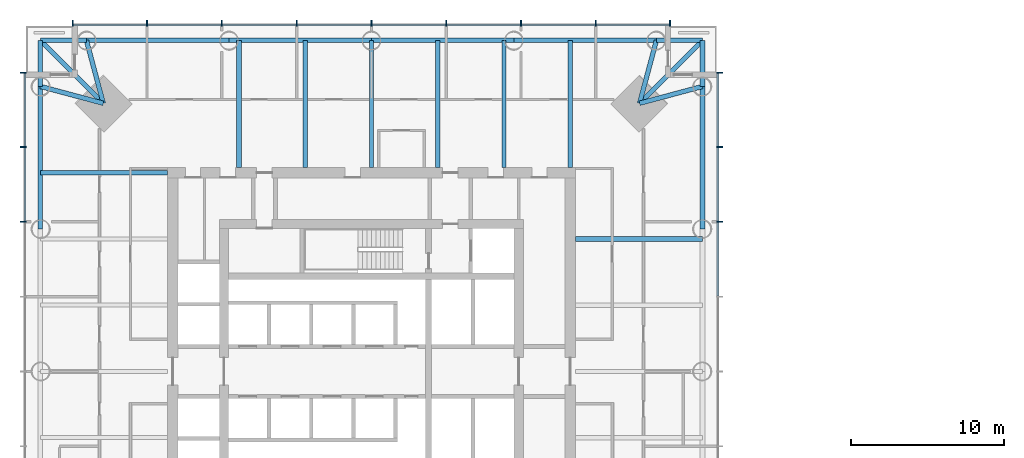
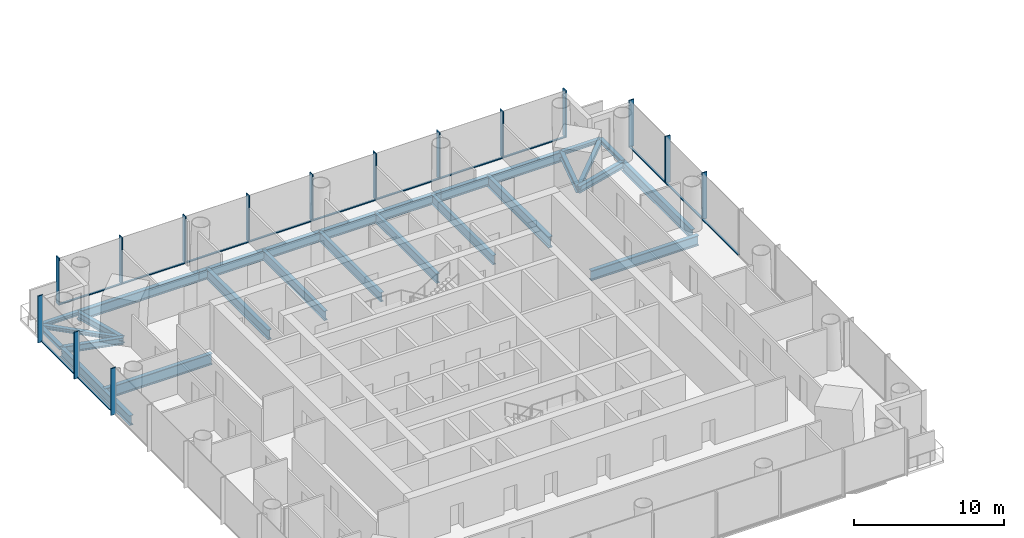
# One storey, part 3 of 18: 28 members, 24 beams, 3 elements without a shape of their own.
"""IFC4 building model written with IfcOpenShell, lengths in metres."""

from ifc_helpers import new_model, si_unit, direction, frame, origin, origin_2d, place, context, subcontext, project, spatial, rectangle, i_section, extrude, material, material_profile, profile_set, type_object, element, aggregate, save


model = new_model("IFC4")

# Units and contexts
model_context = context("Model", 3, precision=1e-05, world=origin(), true_north=direction((0.0, 1.0)))
body_context = subcontext(model_context, "Body", "Model", "MODEL_VIEW")
ifc_project = project(units=[si_unit("LENGTHUNIT", "METRE"), si_unit("AREAUNIT", "SQUARE_METRE"), si_unit("VOLUMEUNIT", "CUBIC_METRE"), si_unit("PLANEANGLEUNIT", "RADIAN"), si_unit("MASSUNIT", "GRAM", prefix="KILO")], contexts=[model_context])

# Site, building, storey
site_placement = place(None, origin())
site = spatial("IfcSite", under=ifc_project, at=site_placement, CompositionType="ELEMENT")
building_placement = place(site_placement, origin())
building = spatial("IfcBuilding", under=site, at=building_placement, Name="Ostroluk Exchange", CompositionType="ELEMENT")
storey_placement = place(building_placement, frame((0.0, 0.0, 97.0)))
storey = spatial("IfcBuildingStorey", under=building, at=storey_placement, Name="L24", CompositionType="ELEMENT", Elevation=97.0)

# Beams
ifc_material_1 = material(Name="Steel S355", Category="steel")
ifc_material_profile_1 = material_profile(ifc_material_1, i_section(OverallWidth=0.300048828125, OverallDepth=0.300048828125, WebThickness=0.010986328125, FlangeThickness=0.01904296875, FilletRadius=0.027099609375, at=origin_2d()), Name="HEB 300")
ifc_profile_set_1 = profile_set([ifc_material_profile_1], Name="Steel S355")
beam_type_1 = type_object("IfcBeamType", Name="Balcony beam HEB 300", PredefinedType="BEAM", material=ifc_profile_set_1)
for number, where, z_axis, x_axis, name in (
    (1, (66.571533203125, 64.571533203125, -0.330078125), (0.0, 1.0, 0.0), (-1.0, 0.0, 0.0), "T1 east balcony beam a"),
    (2, (63.571533203125, 67.571533203125, -0.330078125), (1.0, 0.0, 0.0), (0.0, 1.0, 0.0), "T1 east balcony beam b"),
):
    element("IfcBeam", number, at=place(storey_placement, frame(where, z_axis=z_axis, x_axis=x_axis)), inside=storey, type_object=beam_type_1, Name=name, PredefinedType="BEAM", context=body_context, shape_type="SweptSolid", body=[
        extrude(i_section(OverallWidth=0.300048828125, OverallDepth=0.300048828125, WebThickness=0.010986328125, FlangeThickness=0.01904296875, FilletRadius=0.027099609375, at=origin_2d()), origin(), (0.0, 0.0, 1.0), 3.0),
    ])
beam_1_placement = place(storey_placement, frame((62.471435546875, 63.471435546875, -0.330078125), z_axis=(0.707106781187, 0.707106781187, 0.0), x_axis=(-0.707106781187, 0.707106781187, 0.0)))
element("IfcBeam", 3, at=beam_1_placement, inside=storey, type_object=beam_type_1, Name="T1 east balcony beam c", PredefinedType="BEAM", context=body_context, shape_type="SweptSolid", body=[
    extrude(i_section(OverallWidth=0.300048828125, OverallDepth=0.300048828125, WebThickness=0.010986328125, FlangeThickness=0.01904296875, FilletRadius=0.027099609375, at=origin_2d()), origin(), (0.0, 0.0, 1.0), 5.79833984375),
])
for number, where, z_axis, x_axis, name in (
    (4, (26.428466796875, 67.571533203125, -0.330078125), (-1.0, 0.0, 0.0), (0.0, -1.0, 0.0), "T1 north balcony beam a"),
    (5, (23.428466796875, 64.571533203125, -0.330078125), (0.0, 1.0, 0.0), (-1.0, 0.0, 0.0), "T1 north balcony beam b"),
):
    element("IfcBeam", number, at=place(storey_placement, frame(where, z_axis=z_axis, x_axis=x_axis)), inside=storey, type_object=beam_type_1, Name=name, PredefinedType="BEAM", context=body_context, shape_type="SweptSolid", body=[
        extrude(i_section(OverallWidth=0.300048828125, OverallDepth=0.300048828125, WebThickness=0.010986328125, FlangeThickness=0.01904296875, FilletRadius=0.027099609375, at=origin_2d()), origin(), (0.0, 0.0, 1.0), 3.0),
    ])
beam_2_placement = place(storey_placement, frame((27.528564453125, 63.471435546875, -0.330078125), z_axis=(-0.707106781187, 0.707106781187, 0.0), x_axis=(-0.707106781187, -0.707106781187, 0.0)))
element("IfcBeam", 6, at=beam_2_placement, inside=storey, type_object=beam_type_1, Name="T1 north balcony beam c", PredefinedType="BEAM", context=body_context, shape_type="SweptSolid", body=[
    extrude(i_section(OverallWidth=0.300048828125, OverallDepth=0.300048828125, WebThickness=0.010986328125, FlangeThickness=0.01904296875, FilletRadius=0.027099609375, at=origin_2d()), origin(), (0.0, 0.0, 1.0), 5.79833984375),
])
ifc_material_2 = material(Name="Steel S355", Category="steel")
ifc_material_profile_2 = material_profile(ifc_material_2, i_section(OverallWidth=0.300048828125, OverallDepth=0.550048828125, WebThickness=0.014892578125, FlangeThickness=0.029052734375, FilletRadius=0.027099609375, at=origin_2d()), Name="HEB 550")
ifc_profile_set_2 = profile_set([ifc_material_profile_2], Name="Steel S355")
beam_type_2 = type_object("IfcBeamType", Name="Corner edge beam HEB 550", PredefinedType="SPANDREL", material=ifc_profile_set_2)
for number, where, z_axis, x_axis, name in (
    (7, (62.471435546875, 63.471435546875, -0.455078125), (0.965838624319, 0.259144268261, 0.0), (-0.259144268261, 0.965838624319, 0.0), "T1 east corner edge beam a"),
    (8, (62.471435546875, 63.471435546875, -0.455078125), (0.259144268261, 0.965838624319, 0.0), (-0.965838624319, 0.259144268261, 0.0), "T1 east corner edge beam b"),
    (9, (27.528564453125, 63.471435546875, -0.455078125), (-0.259144268261, 0.965838624319, 0.0), (-0.965838624319, -0.259144268261, 0.0), "T1 north corner edge beam a"),
    (10, (27.528564453125, 63.471435546875, -0.455078125), (-0.965838624319, 0.259144268261, 0.0), (-0.259144268261, -0.965838624319, 0.0), "T1 north corner edge beam b"),
):
    element("IfcBeam", number, at=place(storey_placement, frame(where, z_axis=z_axis, x_axis=x_axis)), inside=storey, type_object=beam_type_2, Name=name, PredefinedType="SPANDREL", context=body_context, shape_type="SweptSolid", body=[
        extrude(i_section(OverallWidth=0.300048828125, OverallDepth=0.550048828125, WebThickness=0.014892578125, FlangeThickness=0.029052734375, FilletRadius=0.027099609375, at=origin_2d()), origin(), (0.0, 0.0, 1.0), 4.2451171875),
    ])
ifc_material_3 = material(Name="Steel S355", Category="steel")
ifc_material_profile_3 = material_profile(ifc_material_3, i_section(OverallWidth=0.302978515625, OverallDepth=0.81396484375, WebThickness=0.02099609375, FlangeThickness=0.0400390625, FilletRadius=0.030029296875, at=origin_2d()), Name="HEM 800")
ifc_profile_set_3 = profile_set([ifc_material_profile_3], Name="Steel S355")
beam_type_3 = type_object("IfcBeamType", Name="Floor beam HEM 800", PredefinedType="BEAM", material=ifc_profile_set_3)
for number, where, z_axis, x_axis, name in (
    (11, (58.300048828125, 54.6259765625, -0.5869140625), (1.0, 0.0, 0.0), (0.0, 1.0, 0.0), "T1 east floor beam 5"),
    (12, (36.3740234375, 59.300048828125, -0.5869140625), (0.0, 1.0, 0.0), (-1.0, 0.0, 0.0), "T1 north floor beam 5"),
):
    element("IfcBeam", number, at=place(storey_placement, frame(where, z_axis=z_axis, x_axis=x_axis)), inside=storey, type_object=beam_type_3, Name=name, PredefinedType="BEAM", context=body_context, shape_type="SweptSolid", body=[
        extrude(i_section(OverallWidth=0.302978515625, OverallDepth=0.81396484375, WebThickness=0.02099609375, FlangeThickness=0.0400390625, FilletRadius=0.030029296875, at=origin_2d()), origin(), (0.0, 0.0, 1.0), 8.271484375),
    ])
ifc_material_4 = material(Name="Steel S355", Category="steel")
ifc_material_profile_4 = material_profile(ifc_material_4, i_section(OverallWidth=0.26708984375, OverallDepth=0.761962890625, WebThickness=0.014404296875, FlangeThickness=0.021484375, FilletRadius=0.01708984375, at=origin_2d()), Name="IPE 750x173")
ifc_profile_set_4 = profile_set([ifc_material_profile_4], Name="Steel S355")
beam_type_4 = type_object("IfcBeamType", Name="Floor beam IPE 750x173", PredefinedType="BEAM", material=ifc_profile_set_4)
for number, where, z_axis, x_axis, name in (
    (13, (53.634765625, 59.300048828125, -0.56103515625), (0.0, 1.0, 0.0), (-1.0, 0.0, 0.0), "T1 north floor beam 1"),
    (14, (49.319580078125, 59.300048828125, -0.56103515625), (0.0, 1.0, 0.0), (-1.0, 0.0, 0.0), "T1 north floor beam 2"),
    (15, (45.00439453125, 59.300048828125, -0.56103515625), (0.0, 1.0, 0.0), (-1.0, 0.0, 0.0), "T1 north floor beam 3"),
    (16, (40.689208984375, 59.300048828125, -0.56103515625), (0.0, 1.0, 0.0), (-1.0, 0.0, 0.0), "T1 north floor beam 4"),
):
    element("IfcBeam", number, at=place(storey_placement, frame(where, z_axis=z_axis, x_axis=x_axis)), inside=storey, type_object=beam_type_4, Name=name, PredefinedType="BEAM", context=body_context, shape_type="SweptSolid", body=[
        extrude(i_section(OverallWidth=0.26708984375, OverallDepth=0.761962890625, WebThickness=0.014404296875, FlangeThickness=0.021484375, FilletRadius=0.01708984375, at=origin_2d()), origin(), (0.0, 0.0, 1.0), 8.271484375),
    ])
ifc_material_5 = material(Name="Steel S355", Category="steel")
ifc_material_profile_5 = material_profile(ifc_material_5, i_section(OverallWidth=0.300048828125, OverallDepth=0.89990234375, WebThickness=0.0185546875, FlangeThickness=0.034912109375, FilletRadius=0.030029296875, at=origin_2d()), Name="HEB 900")
ifc_profile_set_5 = profile_set([ifc_material_profile_5], Name="Steel S355")
beam_type_5 = type_object("IfcBeamType", Name="Girder HEB 900", PredefinedType="BEAM", material=ifc_profile_set_5)
for number, where, z_axis, x_axis, name in (
    (17, (57.949951171875, 59.300048828125, -0.6298828125), (0.0, 1.0, 0.0), (-1.0, 0.0, 0.0), "T1 east girder"),
    (18, (31.699951171875, 58.949951171875, -0.6298828125), (-1.0, 0.0, 0.0), (0.0, -1.0, 0.0), "T1 north girder"),
):
    element("IfcBeam", number, at=place(storey_placement, frame(where, z_axis=z_axis, x_axis=x_axis)), inside=storey, type_object=beam_type_5, Name=name, PredefinedType="BEAM", context=body_context, shape_type="SweptSolid", body=[
        extrude(i_section(OverallWidth=0.300048828125, OverallDepth=0.89990234375, WebThickness=0.0185546875, FlangeThickness=0.034912109375, FilletRadius=0.030029296875, at=origin_2d()), origin(), (0.0, 0.0, 1.0), 8.271484375),
    ])
ifc_material_6 = material(Name="Steel S355", Category="steel")
ifc_material_profile_6 = material_profile(ifc_material_6, i_section(OverallWidth=0.300048828125, OverallDepth=0.800048828125, WebThickness=0.017578125, FlangeThickness=0.032958984375, FilletRadius=0.030029296875, at=origin_2d()), Name="HEB 800")
ifc_profile_set_6 = profile_set([ifc_material_profile_6], Name="Steel S355")
beam_type_6 = type_object("IfcBeamType", Name="Moment-connected edge beam HEB 800", PredefinedType="SPANDREL", material=ifc_profile_set_6)
for number, where, z_axis, x_axis, name in (
    (19, (66.571533203125, 55.28564453125, -0.580078125), (0.0, 1.0, 0.0), (-1.0, 0.0, 0.0), "T1 east edge beam 4"),
    (20, (63.571533203125, 67.571533203125, -0.580078125), (-1.0, 0.0, 0.0), (0.0, -1.0, 0.0), "T1 north edge beam 1"),
):
    element("IfcBeam", number, at=place(storey_placement, frame(where, z_axis=z_axis, x_axis=x_axis)), inside=storey, type_object=beam_type_6, Name=name, PredefinedType="SPANDREL", context=body_context, shape_type="SweptSolid", body=[
        extrude(i_section(OverallWidth=0.300048828125, OverallDepth=0.800048828125, WebThickness=0.017578125, FlangeThickness=0.032958984375, FilletRadius=0.030029296875, at=origin_2d()), origin(), (0.0, 0.0, 1.0), 9.285888671875),
    ])
for number, where, z_axis, x_axis, name in (
    (21, (54.28564453125, 67.571533203125, -0.580078125), (-1.0, 0.0, 0.0), (0.0, -1.0, 0.0), "T1 north edge beam 2"),
    (22, (45.0, 67.571533203125, -0.580078125), (-1.0, 0.0, 0.0), (0.0, -1.0, 0.0), "T1 north edge beam 3"),
):
    element("IfcBeam", number, at=place(storey_placement, frame(where, z_axis=z_axis, x_axis=x_axis)), inside=storey, type_object=beam_type_6, Name=name, PredefinedType="SPANDREL", context=body_context, shape_type="SweptSolid", body=[
        extrude(i_section(OverallWidth=0.300048828125, OverallDepth=0.800048828125, WebThickness=0.017578125, FlangeThickness=0.032958984375, FilletRadius=0.030029296875, at=origin_2d()), origin(), (0.0, 0.0, 1.0), 9.28564453125),
    ])
for number, where, z_axis, x_axis, name in (
    (23, (35.71435546875, 67.571533203125, -0.580078125), (-1.0, 0.0, 0.0), (0.0, -1.0, 0.0), "T1 north edge beam 4"),
    (24, (23.428466796875, 64.571533203125, -0.580078125), (0.0, -1.0, 0.0), (1.0, 0.0, 0.0), "T1 west edge beam 1"),
):
    element("IfcBeam", number, at=place(storey_placement, frame(where, z_axis=z_axis, x_axis=x_axis)), inside=storey, type_object=beam_type_6, Name=name, PredefinedType="SPANDREL", context=body_context, shape_type="SweptSolid", body=[
        extrude(i_section(OverallWidth=0.300048828125, OverallDepth=0.800048828125, WebThickness=0.017578125, FlangeThickness=0.032958984375, FilletRadius=0.030029296875, at=origin_2d()), origin(), (0.0, 0.0, 1.0), 9.285888671875),
    ])

# Curtain wall, members
ifc_material_7 = material(Name="Laminated clear glass", Category="glass")
curtain_wall_type = type_object("IfcCurtainWallType", Name="Office tower facade", PredefinedType="USERDEFINED", material=ifc_material_7)
curtain_wall_1_placement = place(storey_placement, origin())
curtain_wall_1 = element("IfcCurtainWall", 25, at=curtain_wall_1_placement, inside=storey, type_object=curtain_wall_type, Name="Office tower east facade L24", ObjectType="UNITISED CURTAIN WALL", PredefinedType="USERDEFINED")
ifc_material_8 = material(Name="Aluminium mullion", Category="aluminium")
ifc_material_profile_7 = material_profile(ifc_material_8, rectangle(XDim=0.14990234375, YDim=0.080078125, at=origin_2d()), Name="Sill transom 80 x 150")
ifc_profile_set_7 = profile_set([ifc_material_profile_7], Name="Aluminium mullion")
member_type_1 = type_object("IfcMemberType", Name="Sill transom 80 x 150", PredefinedType="USERDEFINED", material=ifc_profile_set_7)
member_1_placement = place(storey_placement, frame((67.574951171875, 50.9150390625, 0.0400390625), z_axis=(0.0, 1.0, 0.0), x_axis=(-1.0, 0.0, 0.0)))
member_1 = element("IfcMember", 26, at=member_1_placement, type_object=member_type_1, Name="CW-O1 transom 6.1", ObjectType="TRANSOM", PredefinedType="USERDEFINED", context=body_context, shape_type="SweptSolid", body=[
    extrude(rectangle(XDim=0.14990234375, YDim=0.080078125, at=origin_2d()), origin(), (0.0, 0.0, 1.0), 4.794921875),
])
member_2_placement = place(storey_placement, frame((67.574951171875, 55.7900390625, 0.0400390625), z_axis=(0.0, 1.0, 0.0), x_axis=(-1.0, 0.0, 0.0)))
member_2 = element("IfcMember", 27, at=member_2_placement, type_object=member_type_1, Name="CW-O1 transom 7.1", ObjectType="TRANSOM", PredefinedType="USERDEFINED", context=body_context, shape_type="SweptSolid", body=[
    extrude(rectangle(XDim=0.14990234375, YDim=0.080078125, at=origin_2d()), origin(), (0.0, 0.0, 1.0), 4.794921875),
])
member_3_placement = place(storey_placement, frame((67.574951171875, 60.6650390625, 0.0400390625), z_axis=(0.0, 1.0, 0.0), x_axis=(-1.0, 0.0, 0.0)))
member_3 = element("IfcMember", 28, at=member_3_placement, type_object=member_type_1, Name="CW-O1 transom 8.1", ObjectType="TRANSOM", PredefinedType="USERDEFINED", context=body_context, shape_type="SweptSolid", body=[
    extrude(rectangle(XDim=0.14990234375, YDim=0.080078125, at=origin_2d()), origin(), (0.0, 0.0, 1.0), 4.7548828125),
])

curtain_wall_2_placement = place(storey_placement, origin())
curtain_wall_2 = element("IfcCurtainWall", 29, at=curtain_wall_2_placement, inside=storey, type_object=curtain_wall_type, Name="Office tower north facade L24", ObjectType="UNITISED CURTAIN WALL", PredefinedType="USERDEFINED")
member_4_placement = place(storey_placement, frame((64.419921875, 68.574951171875, 0.0400390625), z_axis=(-1.0, 0.0, 0.0), x_axis=(0.0, -1.0, 0.0)))
member_4 = element("IfcMember", 30, at=member_4_placement, type_object=member_type_1, Name="CW-O1 transom 1.1", ObjectType="TRANSOM", PredefinedType="USERDEFINED", context=body_context, shape_type="SweptSolid", body=[
    extrude(rectangle(XDim=0.14990234375, YDim=0.080078125, at=origin_2d()), origin(), (0.0, 0.0, 1.0), 4.7548828125),
])
member_5_placement = place(storey_placement, frame((59.5849609375, 68.574951171875, 0.0400390625), z_axis=(-1.0, 0.0, 0.0), x_axis=(0.0, -1.0, 0.0)))
member_5 = element("IfcMember", 31, at=member_5_placement, type_object=member_type_1, Name="CW-O1 transom 2.1", ObjectType="TRANSOM", PredefinedType="USERDEFINED", context=body_context, shape_type="SweptSolid", body=[
    extrude(rectangle(XDim=0.14990234375, YDim=0.080078125, at=origin_2d()), origin(), (0.0, 0.0, 1.0), 4.794921875),
])
member_6_placement = place(storey_placement, frame((54.7099609375, 68.574951171875, 0.0400390625), z_axis=(-1.0, 0.0, 0.0), x_axis=(0.0, -1.0, 0.0)))
member_6 = element("IfcMember", 32, at=member_6_placement, type_object=member_type_1, Name="CW-O1 transom 3.1", ObjectType="TRANSOM", PredefinedType="USERDEFINED", context=body_context, shape_type="SweptSolid", body=[
    extrude(rectangle(XDim=0.14990234375, YDim=0.080078125, at=origin_2d()), origin(), (0.0, 0.0, 1.0), 4.794921875),
])
member_7_placement = place(storey_placement, frame((49.8349609375, 68.574951171875, 0.0400390625), z_axis=(-1.0, 0.0, 0.0), x_axis=(0.0, -1.0, 0.0)))
member_7 = element("IfcMember", 33, at=member_7_placement, type_object=member_type_1, Name="CW-O1 transom 4.1", ObjectType="TRANSOM", PredefinedType="USERDEFINED", context=body_context, shape_type="SweptSolid", body=[
    extrude(rectangle(XDim=0.14990234375, YDim=0.080078125, at=origin_2d()), origin(), (0.0, 0.0, 1.0), 4.794921875),
])
member_8_placement = place(storey_placement, frame((44.9599609375, 68.574951171875, 0.0400390625), z_axis=(-1.0, 0.0, 0.0), x_axis=(0.0, -1.0, 0.0)))
member_8 = element("IfcMember", 34, at=member_8_placement, type_object=member_type_1, Name="CW-O1 transom 5.1", ObjectType="TRANSOM", PredefinedType="USERDEFINED", context=body_context, shape_type="SweptSolid", body=[
    extrude(rectangle(XDim=0.14990234375, YDim=0.080078125, at=origin_2d()), origin(), (0.0, 0.0, 1.0), 4.794921875),
])
member_9_placement = place(storey_placement, frame((40.0849609375, 68.574951171875, 0.0400390625), z_axis=(-1.0, 0.0, 0.0), x_axis=(0.0, -1.0, 0.0)))
member_9 = element("IfcMember", 35, at=member_9_placement, type_object=member_type_1, Name="CW-O1 transom 6.1", ObjectType="TRANSOM", PredefinedType="USERDEFINED", context=body_context, shape_type="SweptSolid", body=[
    extrude(rectangle(XDim=0.14990234375, YDim=0.080078125, at=origin_2d()), origin(), (0.0, 0.0, 1.0), 4.794921875),
])
member_10_placement = place(storey_placement, frame((35.2099609375, 68.574951171875, 0.0400390625), z_axis=(-1.0, 0.0, 0.0), x_axis=(0.0, -1.0, 0.0)))
member_10 = element("IfcMember", 36, at=member_10_placement, type_object=member_type_1, Name="CW-O1 transom 7.1", ObjectType="TRANSOM", PredefinedType="USERDEFINED", context=body_context, shape_type="SweptSolid", body=[
    extrude(rectangle(XDim=0.14990234375, YDim=0.080078125, at=origin_2d()), origin(), (0.0, 0.0, 1.0), 4.794921875),
])
member_11_placement = place(storey_placement, frame((30.3349609375, 68.574951171875, 0.0400390625), z_axis=(-1.0, 0.0, 0.0), x_axis=(0.0, -1.0, 0.0)))
member_11 = element("IfcMember", 37, at=member_11_placement, type_object=member_type_1, Name="CW-O1 transom 8.1", ObjectType="TRANSOM", PredefinedType="USERDEFINED", context=body_context, shape_type="SweptSolid", body=[
    extrude(rectangle(XDim=0.14990234375, YDim=0.080078125, at=origin_2d()), origin(), (0.0, 0.0, 1.0), 4.7548828125),
])

curtain_wall_3_placement = place(storey_placement, origin())
curtain_wall_3 = element("IfcCurtainWall", 38, at=curtain_wall_3_placement, inside=storey, type_object=curtain_wall_type, Name="Office tower west facade L24", ObjectType="UNITISED CURTAIN WALL", PredefinedType="USERDEFINED")
member_12_placement = place(storey_placement, frame((22.425048828125, 65.419921875, 0.0400390625), z_axis=(0.0, -1.0, 0.0), x_axis=(1.0, 0.0, 0.0)))
member_12 = element("IfcMember", 39, at=member_12_placement, type_object=member_type_1, Name="CW-O1 transom 1.1", ObjectType="TRANSOM", PredefinedType="USERDEFINED", context=body_context, shape_type="SweptSolid", body=[
    extrude(rectangle(XDim=0.14990234375, YDim=0.080078125, at=origin_2d()), origin(), (0.0, 0.0, 1.0), 4.7548828125),
])
member_13_placement = place(storey_placement, frame((22.425048828125, 60.5849609375, 0.0400390625), z_axis=(0.0, -1.0, 0.0), x_axis=(1.0, 0.0, 0.0)))
member_13 = element("IfcMember", 40, at=member_13_placement, type_object=member_type_1, Name="CW-O1 transom 2.1", ObjectType="TRANSOM", PredefinedType="USERDEFINED", context=body_context, shape_type="SweptSolid", body=[
    extrude(rectangle(XDim=0.14990234375, YDim=0.080078125, at=origin_2d()), origin(), (0.0, 0.0, 1.0), 4.794921875),
])

# Member
ifc_material_9 = material(Name="Aluminium mullion with limestone facing", Category="masonry")
ifc_material_profile_8 = material_profile(ifc_material_9, rectangle(XDim=0.39990234375, YDim=0.080078125, at=origin_2d()), Name="Tracery mullion 80 x 400")
ifc_profile_set_8 = profile_set([ifc_material_profile_8], Name="Aluminium mullion with limestone facing")
member_type_2 = type_object("IfcMemberType", Name="Tracery mullion 80 x 400", PredefinedType="MULLION", material=ifc_profile_set_8)
member_14_placement = place(storey_placement, frame((67.699951171875, 55.75, 0.0), z_axis=(0.0, 0.0, 1.0), x_axis=(-1.0, 0.0, 0.0)))
member_14 = element("IfcMember", 41, at=member_14_placement, type_object=member_type_2, Name="CW-O1 mullion 7", PredefinedType="MULLION", context=body_context, shape_type="SweptSolid", body=[
    extrude(rectangle(XDim=0.39990234375, YDim=0.080078125, at=origin_2d()), origin(), (0.0, 0.0, 1.0), 3.800048828125),
])

member_15_placement = place(storey_placement, frame((67.699951171875, 60.625, 0.0), z_axis=(0.0, 0.0, 1.0), x_axis=(-1.0, 0.0, 0.0)))
member_15 = element("IfcMember", 42, at=member_15_placement, type_object=member_type_2, Name="CW-O1 mullion 8", PredefinedType="MULLION", context=body_context, shape_type="SweptSolid", body=[
    extrude(rectangle(XDim=0.39990234375, YDim=0.080078125, at=origin_2d()), origin(), (0.0, 0.0, 1.0), 3.800048828125),
])

member_16_placement = place(storey_placement, frame((67.699951171875, 65.4599609375, 0.0), z_axis=(0.0, 0.0, 1.0), x_axis=(-1.0, 0.0, 0.0)))
member_16 = element("IfcMember", 43, at=member_16_placement, type_object=member_type_2, Name="CW-O1 mullion 9", PredefinedType="MULLION", context=body_context, shape_type="SweptSolid", body=[
    extrude(rectangle(XDim=0.39990234375, YDim=0.080078125, at=origin_2d()), origin(), (0.0, 0.0, 1.0), 3.800048828125),
])

aggregate(curtain_wall_1, [member_14, member_15, member_16, member_1, member_2, member_3])

member_17_placement = place(storey_placement, frame((64.4599609375, 68.699951171875, 0.0), z_axis=(0.0, 0.0, 1.0), x_axis=(0.0, -1.0, 0.0)))
member_17 = element("IfcMember", 44, at=member_17_placement, type_object=member_type_2, Name="CW-O1 mullion 1", PredefinedType="MULLION", context=body_context, shape_type="SweptSolid", body=[
    extrude(rectangle(XDim=0.39990234375, YDim=0.080078125, at=origin_2d()), origin(), (0.0, 0.0, 1.0), 3.800048828125),
])

member_18_placement = place(storey_placement, frame((59.625, 68.699951171875, 0.0), z_axis=(0.0, 0.0, 1.0), x_axis=(0.0, -1.0, 0.0)))
member_18 = element("IfcMember", 45, at=member_18_placement, type_object=member_type_2, Name="CW-O1 mullion 2", PredefinedType="MULLION", context=body_context, shape_type="SweptSolid", body=[
    extrude(rectangle(XDim=0.39990234375, YDim=0.080078125, at=origin_2d()), origin(), (0.0, 0.0, 1.0), 3.800048828125),
])

member_19_placement = place(storey_placement, frame((54.75, 68.699951171875, 0.0), z_axis=(0.0, 0.0, 1.0), x_axis=(0.0, -1.0, 0.0)))
member_19 = element("IfcMember", 46, at=member_19_placement, type_object=member_type_2, Name="CW-O1 mullion 3", PredefinedType="MULLION", context=body_context, shape_type="SweptSolid", body=[
    extrude(rectangle(XDim=0.39990234375, YDim=0.080078125, at=origin_2d()), origin(), (0.0, 0.0, 1.0), 3.800048828125),
])

member_20_placement = place(storey_placement, frame((49.875, 68.699951171875, 0.0), z_axis=(0.0, 0.0, 1.0), x_axis=(0.0, -1.0, 0.0)))
member_20 = element("IfcMember", 47, at=member_20_placement, type_object=member_type_2, Name="CW-O1 mullion 4", PredefinedType="MULLION", context=body_context, shape_type="SweptSolid", body=[
    extrude(rectangle(XDim=0.39990234375, YDim=0.080078125, at=origin_2d()), origin(), (0.0, 0.0, 1.0), 3.800048828125),
])

member_21_placement = place(storey_placement, frame((45.0, 68.699951171875, 0.0), z_axis=(0.0, 0.0, 1.0), x_axis=(0.0, -1.0, 0.0)))
member_21 = element("IfcMember", 48, at=member_21_placement, type_object=member_type_2, Name="CW-O1 mullion 5", PredefinedType="MULLION", context=body_context, shape_type="SweptSolid", body=[
    extrude(rectangle(XDim=0.39990234375, YDim=0.080078125, at=origin_2d()), origin(), (0.0, 0.0, 1.0), 3.800048828125),
])

member_22_placement = place(storey_placement, frame((40.125, 68.699951171875, 0.0), z_axis=(0.0, 0.0, 1.0), x_axis=(0.0, -1.0, 0.0)))
member_22 = element("IfcMember", 49, at=member_22_placement, type_object=member_type_2, Name="CW-O1 mullion 6", PredefinedType="MULLION", context=body_context, shape_type="SweptSolid", body=[
    extrude(rectangle(XDim=0.39990234375, YDim=0.080078125, at=origin_2d()), origin(), (0.0, 0.0, 1.0), 3.800048828125),
])

member_23_placement = place(storey_placement, frame((35.25, 68.699951171875, 0.0), z_axis=(0.0, 0.0, 1.0), x_axis=(0.0, -1.0, 0.0)))
member_23 = element("IfcMember", 50, at=member_23_placement, type_object=member_type_2, Name="CW-O1 mullion 7", PredefinedType="MULLION", context=body_context, shape_type="SweptSolid", body=[
    extrude(rectangle(XDim=0.39990234375, YDim=0.080078125, at=origin_2d()), origin(), (0.0, 0.0, 1.0), 3.800048828125),
])

member_24_placement = place(storey_placement, frame((30.375, 68.699951171875, 0.0), z_axis=(0.0, 0.0, 1.0), x_axis=(0.0, -1.0, 0.0)))
member_24 = element("IfcMember", 51, at=member_24_placement, type_object=member_type_2, Name="CW-O1 mullion 8", PredefinedType="MULLION", context=body_context, shape_type="SweptSolid", body=[
    extrude(rectangle(XDim=0.39990234375, YDim=0.080078125, at=origin_2d()), origin(), (0.0, 0.0, 1.0), 3.800048828125),
])

member_25_placement = place(storey_placement, frame((25.5400390625, 68.699951171875, 0.0), z_axis=(0.0, 0.0, 1.0), x_axis=(0.0, -1.0, 0.0)))
member_25 = element("IfcMember", 52, at=member_25_placement, type_object=member_type_2, Name="CW-O1 mullion 9", PredefinedType="MULLION", context=body_context, shape_type="SweptSolid", body=[
    extrude(rectangle(XDim=0.39990234375, YDim=0.080078125, at=origin_2d()), origin(), (0.0, 0.0, 1.0), 3.800048828125),
])

aggregate(curtain_wall_2, [member_17, member_18, member_19, member_20, member_21, member_22, member_23, member_24, member_25, member_4, member_5, member_6, member_7, member_8, member_9, member_10, member_11])

member_26_placement = place(storey_placement, frame((22.300048828125, 65.4599609375, 0.0), z_axis=(0.0, 0.0, 1.0), x_axis=(1.0, 0.0, 0.0)))
member_26 = element("IfcMember", 53, at=member_26_placement, type_object=member_type_2, Name="CW-O1 mullion 1", PredefinedType="MULLION", context=body_context, shape_type="SweptSolid", body=[
    extrude(rectangle(XDim=0.39990234375, YDim=0.080078125, at=origin_2d()), origin(), (0.0, 0.0, 1.0), 3.800048828125),
])

member_27_placement = place(storey_placement, frame((22.300048828125, 60.625, 0.0), z_axis=(0.0, 0.0, 1.0), x_axis=(1.0, 0.0, 0.0)))
member_27 = element("IfcMember", 54, at=member_27_placement, type_object=member_type_2, Name="CW-O1 mullion 2", PredefinedType="MULLION", context=body_context, shape_type="SweptSolid", body=[
    extrude(rectangle(XDim=0.39990234375, YDim=0.080078125, at=origin_2d()), origin(), (0.0, 0.0, 1.0), 3.800048828125),
])

member_28_placement = place(storey_placement, frame((22.300048828125, 55.75, 0.0), z_axis=(0.0, 0.0, 1.0), x_axis=(1.0, 0.0, 0.0)))
member_28 = element("IfcMember", 55, at=member_28_placement, type_object=member_type_2, Name="CW-O1 mullion 3", PredefinedType="MULLION", context=body_context, shape_type="SweptSolid", body=[
    extrude(rectangle(XDim=0.39990234375, YDim=0.080078125, at=origin_2d()), origin(), (0.0, 0.0, 1.0), 3.800048828125),
])

aggregate(curtain_wall_3, [member_26, member_27, member_28, member_12, member_13])

save(model, "model.ifc")
